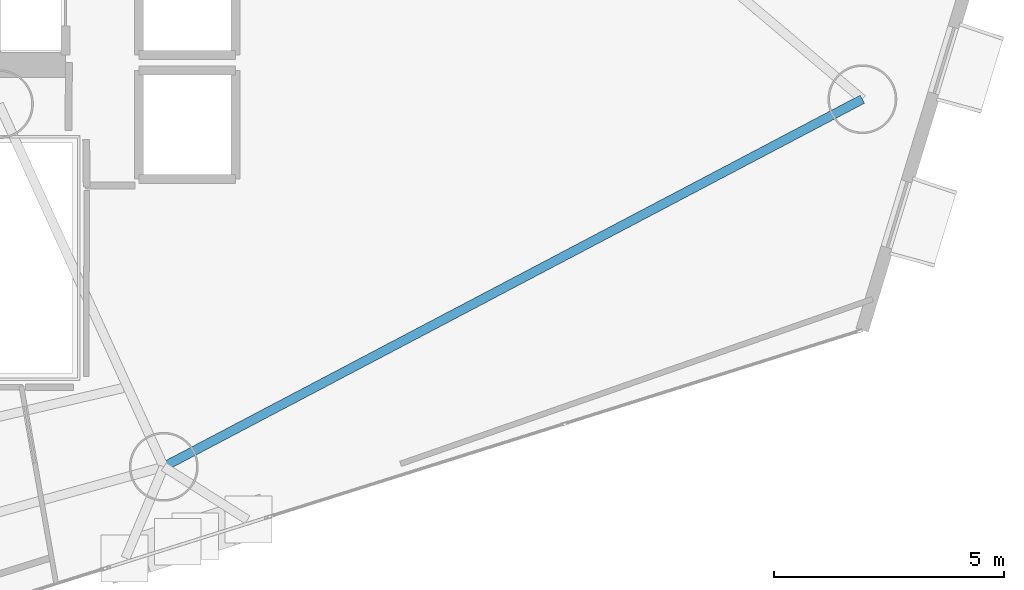
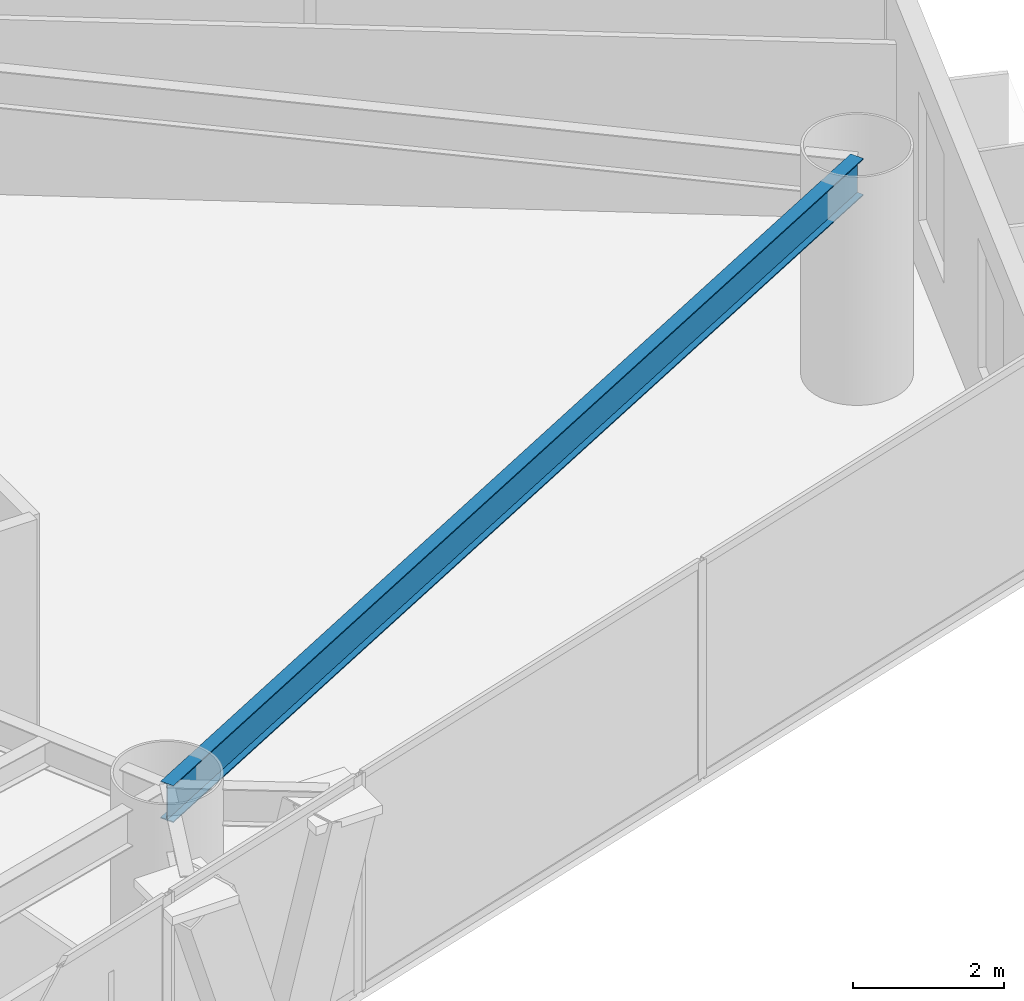
# One storey, part 5 of 18: 1 beam.
"""IFC4 building model written with IfcOpenShell, lengths in metres."""

import ifcopenshell
import ifcopenshell.guid

model = None  # the IFC model being written
_history = None  # IfcOwnerHistory: only IFC2X3 demands one
_inside = {}  # id of a spatial element -> (the spatial element, [elements in it])
_under = {}  # id of a project, library or spatial element -> (it, [spatial elements below it])
_declared = {}  # id of a project -> (the project, [libraries it declares])
_typed = {}  # id of a type object -> (the type object, [elements of that type])
_made_of = {}  # id of a material, layer set ... -> (it, [elements and type objects made of it])


def new_model(schema):
    """Start an empty IFC model of exactly this schema.

    Asked for "IFC4X3", IfcOpenShell would pick the latest addendum, in which some entities
    have other attributes; the version numbers below select the first issue.
    IFC2X3 requires an IfcOwnerHistory on every rooted entity: one is made here for all.
    """
    global model, _history
    if schema == "IFC4X3":
        model = ifcopenshell.file(schema_version=(4, 3, 0, 0))
    else:
        model = ifcopenshell.file(schema=schema)
    _inside.clear()
    _under.clear()
    _declared.clear()
    _typed.clear()
    _made_of.clear()
    _history = None
    if model.schema == "IFC2X3":
        org = make("IfcOrganization", Name="unknown")
        user = make(
            "IfcPersonAndOrganization",
            ThePerson=make("IfcPerson", FamilyName="unknown"),
            TheOrganization=org,
        )
        app = make(
            "IfcApplication",
            ApplicationDeveloper=org,
            Version="unknown",
            ApplicationFullName="unknown",
            ApplicationIdentifier="unknown",
        )
        _history = make(
            "IfcOwnerHistory",
            OwningUser=user,
            OwningApplication=app,
            ChangeAction="ADDED",
            CreationDate=0,
        )
    return model


def make(cls, **values):
    """One entity of the class cls with the attributes given. An attribute that is None is left unset."""
    return model.create_entity(
        cls, **{name: value for name, value in values.items() if value is not None}
    )


def rooted(cls, **values):
    """An entity with a GlobalId (a new one), such as an element, a storey or a relation."""
    return make(cls, GlobalId=ifcopenshell.guid.new(), OwnerHistory=_history, **values)


def si_unit(unit_type, name, prefix=None):
    """IfcSIUnit, for example si_unit("LENGTHUNIT", "METRE", prefix="MILLI")."""
    return make("IfcSIUnit", UnitType=unit_type, Prefix=prefix, Name=name)


def assignment(units):
    """IfcUnitAssignment: the units of a project."""
    return None if units is None else make("IfcUnitAssignment", Units=units)


def point(xyz):
    """IfcCartesianPoint."""
    return None if xyz is None else make("IfcCartesianPoint", Coordinates=xyz)


def direction(xyz):
    """IfcDirection."""
    return None if xyz is None else make("IfcDirection", DirectionRatios=xyz)


def frame(location, z_axis=None, x_axis=None):
    """IfcAxis2Placement3D, a coordinate frame: its origin and axes. An axis left out is left unset."""
    return make(
        "IfcAxis2Placement3D",
        Location=point(location),
        Axis=direction(z_axis),
        RefDirection=direction(x_axis),
    )


def frame_2d(location, x_axis=None):
    """IfcAxis2Placement2D, a coordinate frame in the plane: its origin and x axis."""
    return make(
        "IfcAxis2Placement2D", Location=point(location), RefDirection=direction(x_axis)
    )


def origin():
    """The frame at (0, 0, 0) with its axes left unset."""
    return frame((0.0, 0.0, 0.0))


def origin_2d():
    """The frame at (0, 0) in the plane with its x axis left unset."""
    return frame_2d((0.0, 0.0))


def place(relative_to, where):
    """IfcLocalPlacement: puts the frame where relative to a parent placement (None: the world)."""
    return make(
        "IfcLocalPlacement", PlacementRelTo=relative_to, RelativePlacement=where
    )


def context(
    kind, dimensions, precision=None, world=None, true_north=None, identifier=None
):
    """IfcGeometricRepresentationContext, for example the 3D "Model" context."""
    return make(
        "IfcGeometricRepresentationContext",
        ContextIdentifier=identifier,
        ContextType=kind,
        CoordinateSpaceDimension=dimensions,
        Precision=precision,
        WorldCoordinateSystem=world,
        TrueNorth=true_north,
    )


def subcontext(parent, identifier, kind, view, scale=None):
    """IfcGeometricRepresentationSubContext, for example "Body" below "Model"."""
    return make(
        "IfcGeometricRepresentationSubContext",
        ContextIdentifier=identifier,
        ContextType=kind,
        ParentContext=parent,
        TargetScale=scale,
        TargetView=view,
    )


def project(units=None, contexts=None):
    """IfcProject with its units and contexts."""
    return rooted(
        "IfcProject",
        Name="project",
        RepresentationContexts=contexts,
        UnitsInContext=assignment(units),
    )


def spatial(cls, under=None, at=None, **own):
    """A site, building, storey or space (cls), placed at a placement, below another one or the project."""
    s = rooted(cls, ObjectPlacement=at, **own)
    if under is not None:
        _under.setdefault(under.id(), (under, []))[1].append(s)
    return s


def profile(cls, at=None, kind="AREA", **sizes):
    """A parametric profile (cls). Its sizes go by their IFC names, for example OverallWidth=200.0."""
    return make(cls, ProfileType=kind, Position=at, **sizes)


def i_section(**sizes):
    """IfcIShapeProfileDef."""
    return profile("IfcIShapeProfileDef", **sizes)


def extrude(swept, where, along, depth):
    """IfcExtrudedAreaSolid: the profile swept, set in the frame where, extruded along a direction by depth."""
    return make(
        "IfcExtrudedAreaSolid",
        SweptArea=swept,
        Position=where,
        ExtrudedDirection=direction(along),
        Depth=depth,
    )


def shape(context_of_items, identifier, shape_type, items):
    """IfcShapeRepresentation: the items that make up one representation, for example the "Body"."""
    return make(
        "IfcShapeRepresentation",
        ContextOfItems=context_of_items,
        RepresentationIdentifier=identifier,
        RepresentationType=shape_type,
        Items=items,
    )


def material(Name=None, Category=None):
    """IfcMaterial."""
    return make("IfcMaterial", Name=Name, Category=Category)


def material_profile(
    of_material, cross_section, Name=None, Category=None, Priority=None
):
    """IfcMaterialProfile: a cross section and its material."""
    return make(
        "IfcMaterialProfile",
        Name=Name,
        Material=of_material,
        Profile=cross_section,
        Priority=Priority,
        Category=Category,
    )


def profile_set(profiles, Name=None, composite=None):
    """IfcMaterialProfileSet."""
    return make(
        "IfcMaterialProfileSet",
        Name=Name,
        MaterialProfiles=profiles,
        CompositeProfile=composite,
    )


def made_of(thing, what):
    """Note that an element or type object is made of a material, layer set ...; save() writes the relation."""
    if what is not None:
        _made_of.setdefault(what.id(), (what, []))[1].append(thing)
    return thing


def type_object(cls, material=None, **own):
    """A type object (cls), such as IfcWallType, which elements share."""
    return made_of(rooted(cls, **own), material)


def element(
    cls,
    number,
    at=None,
    inside=None,
    cuts=None,
    type_object=None,
    material=None,
    context=None,
    identifier="Body",
    shape_type=None,
    held_by="IfcProductDefinitionShape",
    body=None,
    shapes=None,
    **own,
):
    """One element of the class cls, such as IfcWall. Its Tag is "e" and its number.

    at: its placement. inside: the storey or other place that contains it. cuts: it is an
    opening in that element (IfcRelVoidsElement). A single representation is given by context,
    identifier, shape_type and body (its items); several are given by shapes. held_by: the class
    of the entity that holds the representations. save() writes the other relations.
    """
    e = rooted(cls, Tag="e%d" % number, ObjectPlacement=at, **own)
    if body is not None:
        shapes = [shape(context, identifier, shape_type, body)]
    if shapes is not None:
        e.Representation = make(held_by, Representations=shapes)
    if inside is not None:
        _inside.setdefault(inside.id(), (inside, []))[1].append(e)
    if cuts is not None:
        rooted(
            "IfcRelVoidsElement", RelatingBuildingElement=cuts, RelatedOpeningElement=e
        )
    if type_object is not None:
        _typed.setdefault(type_object.id(), (type_object, []))[1].append(e)
    return made_of(e, material)


def aggregate(whole, parts):
    """IfcRelAggregates: a whole, such as a stair, and the parts it consists of."""
    return rooted("IfcRelAggregates", RelatingObject=whole, RelatedObjects=parts)


def save(model, path):
    """Write the relations noted so far, then the file.

    IfcRelAggregates (storeys below a building ...), IfcRelContainedInSpatialStructure (elements
    in a storey), IfcRelDefinesByType, IfcRelAssociatesMaterial and IfcRelDeclares: one each for
    every whole, place, type object, material and project.
    """
    for whole, parts in _under.values():
        aggregate(whole, parts)
    for where, things in _inside.values():
        rooted(
            "IfcRelContainedInSpatialStructure",
            RelatedElements=things,
            RelatingStructure=where,
        )
    for kind, things in _typed.values():
        rooted("IfcRelDefinesByType", RelatedObjects=things, RelatingType=kind)
    for what, things in _made_of.values():
        rooted("IfcRelAssociatesMaterial", RelatedObjects=things, RelatingMaterial=what)
    for by, libraries in _declared.values():
        rooted("IfcRelDeclares", RelatingContext=by, RelatedDefinitions=libraries)
    model.write(path)


model = new_model("IFC4")

# Units and contexts
model_context = context("Model", 3, precision=1e-05, world=origin(), true_north=direction((0.0, 1.0)))
body_context = subcontext(model_context, "Body", "Model", "MODEL_VIEW")
ifc_project = project(units=[si_unit("LENGTHUNIT", "METRE"), si_unit("AREAUNIT", "SQUARE_METRE"), si_unit("VOLUMEUNIT", "CUBIC_METRE"), si_unit("PLANEANGLEUNIT", "RADIAN"), si_unit("MASSUNIT", "GRAM", prefix="KILO")], contexts=[model_context])

# Site, building, storey
site_placement = place(None, origin())
site = spatial("IfcSite", under=ifc_project, at=site_placement, CompositionType="ELEMENT")
building_placement = place(site_placement, origin())
building = spatial("IfcBuilding", under=site, at=building_placement, Name="Qianvela Tower", CompositionType="ELEMENT")
storey_placement = place(building_placement, frame((0.0, 0.0, 116.300048828125)))
storey = spatial("IfcBuildingStorey", under=building, at=storey_placement, Name="L29", CompositionType="ELEMENT", Elevation=116.300048828125)

# Beam
ifc_material = material(Name="Steel Q355B", Category="steel")
ifc_material_profile = material_profile(ifc_material, i_section(OverallWidth=0.199951171875, OverallDepth=0.60009765625, WebThickness=0.010986328125, FlangeThickness=0.01708984375, at=origin_2d()), Name="HN600x200x11x17")
ifc_profile_set = profile_set([ifc_material_profile], Name="Steel Q355B")
beam_type = type_object("IfcBeamType", Name="BM-HN600-GIRD", PredefinedType="BEAM", material=ifc_profile_set)
beam_placement = place(storey_placement, frame((41.988037109375, 15.95703125, 3.218017578125), z_axis=(0.884971229381, 0.465645705627, 0.0), x_axis=(-0.465645705627, 0.884971229381, 0.0)))
element("IfcBeam", 1, at=beam_placement, inside=storey, type_object=beam_type, Name="L29 Perimeter Ring Spandrel Girder 6", PredefinedType="BEAM", context=body_context, shape_type="SweptSolid", body=[
    extrude(i_section(OverallWidth=0.199951171875, OverallDepth=0.60009765625, WebThickness=0.010986328125, FlangeThickness=0.01708984375, at=origin_2d()), origin(), (0.0, 0.0, 1.0), 17.1826171875),
])

save(model, "model.ifc")
